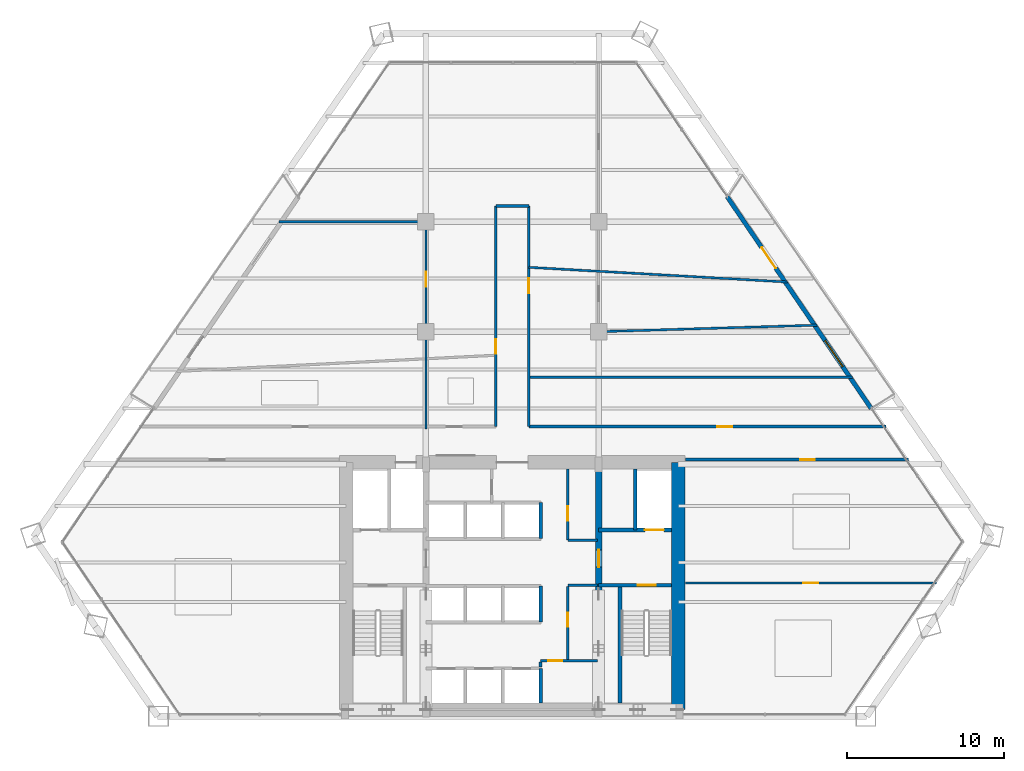
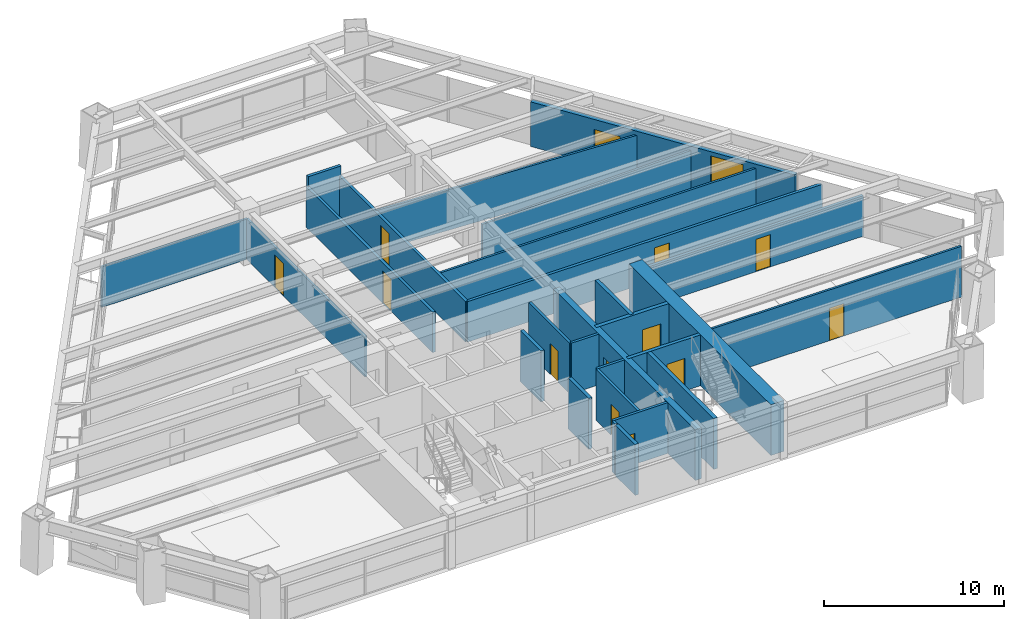
# One storey, part 11 of 14: 27 walls, 13 doors, 1 window, 14 openings.
"""IFC4 building model written with IfcOpenShell, lengths in metres."""

from ifc_helpers import new_model, si_unit, direction, frame, frame_2d, origin, place, context, subcontext, project, spatial, rectangle, extrude, source, transform, mapped, material, layer, layer_set, type_object, type_shapes, element, fill, save


model = new_model("IFC4")

# Units and contexts
model_context = context("Model", 3, precision=1e-05, world=origin(), true_north=direction((0.0, 1.0)))
body_context = subcontext(model_context, "Body", "Model", "MODEL_VIEW")
ifc_project = project(units=[si_unit("LENGTHUNIT", "METRE"), si_unit("AREAUNIT", "SQUARE_METRE"), si_unit("VOLUMEUNIT", "CUBIC_METRE"), si_unit("PLANEANGLEUNIT", "RADIAN"), si_unit("MASSUNIT", "GRAM", prefix="KILO")], contexts=[model_context])

# Site, building, storey
site_placement = place(None, origin())
site = spatial("IfcSite", under=ifc_project, at=site_placement, CompositionType="ELEMENT")
building_placement = place(site_placement, origin())
building = spatial("IfcBuilding", under=site, at=building_placement, Name="Varnakhor Terracotta Tower", CompositionType="ELEMENT")
storey_placement = place(building_placement, frame((0.0, 0.0, 31.199951171875)))
storey = spatial("IfcBuildingStorey", under=building, at=storey_placement, Name="L06", CompositionType="ELEMENT", Elevation=31.199951171875)

# Wall
ifc_material_1 = material(Name="Concrete C60/75", Category="concrete")
ifc_layer_1 = layer(ifc_material_1, 0.85009765625, Name="Concrete C60/75")
ifc_layer_set_1 = layer_set([ifc_layer_1], Name="Concrete C60/75")
wall_type_1 = type_object("IfcWallType", Name="WAL-CORE-850", PredefinedType="SHEAR", material=ifc_layer_set_1)
wall_1_placement = place(storey_placement, frame((10.574951171875, 0.425048828125, 0.0), z_axis=(0.0, 0.0, 1.0), x_axis=(0.0, 1.0, 0.0)))
element("IfcWall", 1, at=wall_1_placement, inside=storey, type_object=wall_type_1, Name="L06 East Core Shear Wall", PredefinedType="SHEAR", context=body_context, shape_type="SweptSolid", body=[
    extrude(rectangle(XDim=15.75, YDim=0.85009765625, at=frame_2d((7.875, 0.0))), origin(), (0.0, 0.0, 1.0), 3.449951171875),
])

# Wall, opening, door
ifc_material_2 = material(Name="Concrete C50/60", Category="concrete")
ifc_layer_2 = layer(ifc_material_2, 0.39990234375, Name="Concrete C50/60")
ifc_layer_set_2 = layer_set([ifc_layer_2], Name="Concrete C50/60")
wall_type_2 = type_object("IfcWallType", Name="WAL-CORE-WEB-400", PredefinedType="SHEAR", material=ifc_layer_set_2)
wall_2_placement = place(storey_placement, frame((5.5, 0.425048828125, 0.0), z_axis=(0.0, 0.0, 1.0), x_axis=(0.0, 1.0, 0.0)))
wall_2 = element("IfcWall", 2, at=wall_2_placement, inside=storey, type_object=wall_type_2, Name="L06 East Core Web Shear Wall", PredefinedType="SHEAR", context=body_context, shape_type="SweptSolid", body=[
    extrude(rectangle(XDim=15.75, YDim=0.39990234375, at=frame_2d((7.875, 0.0))), origin(), (0.0, 0.0, 1.0), 3.449951171875),
])
opening_1_placement = place(wall_2_placement, frame((9.074951171875, 0.0, 0.0)))
opening_1 = element("IfcOpeningElement", 3, at=opening_1_placement, cuts=wall_2, Name="Opening DR-25", PredefinedType="OPENING", context=body_context, shape_type="SweptSolid", body=[
    extrude(rectangle(XDim=1.10009765625, YDim=2.199951171875, at=frame_2d((0.550048828125, 1.10009765625))), frame((0.0, 0.2099609375, 0.0), z_axis=(0.0, -1.0, 0.0), x_axis=(1.0, 0.0, 0.0)), (0.0, 0.0, 1.0), 0.419921875),
])
ifc_material_3 = material(Name="Firefighting Lobby Self-Closing Fire Door", Category="steel")
door_type_1 = type_object("IfcDoorType", Name="DR-FFL-1100X2200", OperationType="NOTDEFINED", PredefinedType="DOOR", material=ifc_material_3)
shared_shape_1 = source(origin(), body_context, "Body", "SweptSolid", [
    extrude(rectangle(XDim=1.10009765625, YDim=2.199951171875, at=frame_2d((0.550048828125, 1.10009765625))), frame((0.0, 0.02490234375, 0.0), z_axis=(0.0, -1.0, 0.0), x_axis=(1.0, 0.0, 0.0)), (0.0, 0.0, 1.0), 0.050048828125),
])
type_shapes(door_type_1, [shared_shape_1])
door_1_placement = place(opening_1_placement, origin())
door_1 = element("IfcDoor", 4, at=door_1_placement, inside=storey, type_object=door_type_1, Name="L06 East Firefighting Lobby Door", OperationType="SINGLE_SWING_RIGHT", OverallHeight=2.199951171875, OverallWidth=1.10009765625, PredefinedType="DOOR", context=body_context, shape_type="MappedRepresentation", body=[
    mapped(shared_shape_1, transform((0.0, 0.0, 0.0), scale=1.0)),
])
fill(opening_1, door_1)

ifc_material_4 = material(Name="Fire-Rated Gypsum Stud Partition", Category="gypsum")
ifc_layer_3 = layer(ifc_material_4, 0.18505859375, Name="Fire-Rated Gypsum Stud Partition")
ifc_layer_set_3 = layer_set([ifc_layer_3], Name="Fire-Rated Gypsum Stud Partition")
wall_type_3 = type_object("IfcWallType", Name="WAL-CORR-185", PredefinedType="PARTITIONING", material=ifc_layer_set_3)
wall_3_placement = place(storey_placement, frame((11.02001953125, 16.35009765625, 0.0), z_axis=(0.0, 0.0, 1.0), x_axis=(1.0, 0.0, 0.0)))
wall_3 = element("IfcWall", 5, at=wall_3_placement, inside=storey, type_object=wall_type_3, Name="L06 South East Corridor Wall", PredefinedType="PARTITIONING", context=body_context, shape_type="SweptSolid", body=[
    extrude(rectangle(XDim=14.212646484375, YDim=0.18505859375, at=frame_2d((7.1064453125, 0.0))), origin(), (0.0, 0.0, 1.0), 2.7470703125),
])
opening_2_placement = place(wall_3_placement, frame((7.307861328125, 0.0, 0.0)))
opening_2 = element("IfcOpeningElement", 6, at=opening_2_placement, cuts=wall_3, Name="Opening DR-94", PredefinedType="OPENING", context=body_context, shape_type="SweptSolid", body=[
    extrude(rectangle(XDim=0.949951171875, YDim=2.199951171875, at=frame_2d((0.47509765625, 1.10009765625))), frame((0.0, 0.1025390625, 0.0), z_axis=(0.0, -1.0, 0.0), x_axis=(1.0, 0.0, 0.0)), (0.0, 0.0, 1.0), 0.205078125),
])
ifc_material_5 = material(Name="Acoustic Glazed-Vision Timber Office Door", Category="wood")
door_type_2 = type_object("IfcDoorType", Name="DR-OFF-950X2200", OperationType="NOTDEFINED", PredefinedType="DOOR", material=ifc_material_5)
shared_shape_2 = source(origin(), body_context, "Body", "SweptSolid", [
    extrude(rectangle(XDim=0.949951171875, YDim=2.199951171875, at=frame_2d((0.47509765625, 1.10009765625))), frame((0.0, 0.02490234375, 0.0), z_axis=(0.0, -1.0, 0.0), x_axis=(1.0, 0.0, 0.0)), (0.0, 0.0, 1.0), 0.050048828125),
])
type_shapes(door_type_2, [shared_shape_2])
door_2_placement = place(opening_2_placement, origin())
door_2 = element("IfcDoor", 7, at=door_2_placement, inside=storey, type_object=door_type_2, Name="L06 SE Suite Door", OperationType="SINGLE_SWING_RIGHT", OverallHeight=2.199951171875, OverallWidth=0.949951171875, PredefinedType="DOOR", context=body_context, shape_type="MappedRepresentation", body=[
    mapped(shared_shape_2, transform((0.0, 0.0, 0.0), scale=1.0)),
])
fill(opening_2, door_2)

wall_4_placement = place(storey_placement, frame((1.050048828125, 18.449951171875, 0.0), z_axis=(0.0, 0.0, 1.0), x_axis=(1.0, 0.0, 0.0)))
wall_4 = element("IfcWall", 8, at=wall_4_placement, inside=storey, type_object=wall_type_3, Name="L06 Corridor North East Wall", PredefinedType="PARTITIONING", context=body_context, shape_type="SweptSolid", body=[
    extrude(rectangle(XDim=22.754638671875, YDim=0.18505859375, at=frame_2d((11.37744140625, 0.0))), origin(), (0.0, 0.0, 1.0), 2.7470703125),
])
opening_3_placement = place(wall_4_placement, frame((12.006103515625, 0.0, 0.0)))
opening_3 = element("IfcOpeningElement", 9, at=opening_3_placement, cuts=wall_4, Name="Opening DR-94", PredefinedType="OPENING", context=body_context, shape_type="SweptSolid", body=[
    extrude(rectangle(XDim=0.949951171875, YDim=2.199951171875, at=frame_2d((0.47509765625, 1.10009765625))), frame((0.0, 0.1025390625, 0.0), z_axis=(0.0, -1.0, 0.0), x_axis=(1.0, 0.0, 0.0)), (0.0, 0.0, 1.0), 0.205078125),
])
door_3_placement = place(opening_3_placement, origin())
door_3 = element("IfcDoor", 10, at=door_3_placement, inside=storey, type_object=door_type_2, Name="L06 East Workplace Door", OperationType="SINGLE_SWING_RIGHT", OverallHeight=2.199951171875, OverallWidth=0.949951171875, PredefinedType="DOOR", context=body_context, shape_type="MappedRepresentation", body=[
    mapped(shared_shape_2, transform((0.0, 0.0, 0.0), scale=1.0)),
])
fill(opening_3, door_3)

wall_5_placement = place(storey_placement, frame((-1.050048828125, 18.449951171875, 0.0), z_axis=(0.0, 0.0, 1.0), x_axis=(0.0, 1.0, 0.0)))
wall_5 = element("IfcWall", 11, at=wall_5_placement, inside=storey, type_object=wall_type_3, Name="L06 Spine West Wall", PredefinedType="PARTITIONING", context=body_context, shape_type="SweptSolid", body=[
    extrude(rectangle(XDim=14.050048828125, YDim=0.18505859375, at=frame_2d((7.02490234375, 0.0))), origin(), (0.0, 0.0, 1.0), 2.7470703125),
])
opening_4_placement = place(wall_5_placement, frame((4.6298828125, 0.0, 0.0)))
opening_4 = element("IfcOpeningElement", 12, at=opening_4_placement, cuts=wall_5, Name="Opening DR-94", PredefinedType="OPENING", context=body_context, shape_type="SweptSolid", body=[
    extrude(rectangle(XDim=0.949951171875, YDim=2.199951171875, at=frame_2d((0.47509765625, 1.10009765625))), frame((0.0, 0.1025390625, 0.0), z_axis=(0.0, -1.0, 0.0), x_axis=(1.0, 0.0, 0.0)), (0.0, 0.0, 1.0), 0.205078125),
])
door_4_placement = place(opening_4_placement, origin())
door_4 = element("IfcDoor", 13, at=door_4_placement, inside=storey, type_object=door_type_2, Name="L06 Spine West Door", OperationType="SINGLE_SWING_LEFT", OverallHeight=2.199951171875, OverallWidth=0.949951171875, PredefinedType="DOOR", context=body_context, shape_type="MappedRepresentation", body=[
    mapped(shared_shape_2, transform((0.0, 0.0, 0.0), scale=1.0)),
])
fill(opening_4, door_4)

wall_6_placement = place(storey_placement, frame((1.050048828125, 18.449951171875, 0.0), z_axis=(0.0, 0.0, 1.0), x_axis=(0.0, 1.0, 0.0)))
wall_6 = element("IfcWall", 14, at=wall_6_placement, inside=storey, type_object=wall_type_3, Name="L06 Spine East Wall", PredefinedType="PARTITIONING", context=body_context, shape_type="SweptSolid", body=[
    extrude(rectangle(XDim=14.050048828125, YDim=0.18505859375, at=frame_2d((7.02490234375, 0.0))), origin(), (0.0, 0.0, 1.0), 2.7470703125),
])
opening_5_placement = place(wall_6_placement, frame((8.49658203125, 0.0, 0.0)))
opening_5 = element("IfcOpeningElement", 15, at=opening_5_placement, cuts=wall_6, Name="Opening DR-94", PredefinedType="OPENING", context=body_context, shape_type="SweptSolid", body=[
    extrude(rectangle(XDim=0.949951171875, YDim=2.199951171875, at=frame_2d((0.47509765625, 1.10009765625))), frame((0.0, 0.1025390625, 0.0), z_axis=(0.0, -1.0, 0.0), x_axis=(1.0, 0.0, 0.0)), (0.0, 0.0, 1.0), 0.205078125),
])
door_5_placement = place(opening_5_placement, origin())
door_5 = element("IfcDoor", 16, at=door_5_placement, inside=storey, type_object=door_type_2, Name="L06 Spine East Door", OperationType="SINGLE_SWING_RIGHT", OverallHeight=2.199951171875, OverallWidth=0.949951171875, PredefinedType="DOOR", context=body_context, shape_type="MappedRepresentation", body=[
    mapped(shared_shape_2, transform((0.0, 0.0, 0.0), scale=1.0)),
])
fill(opening_5, door_5)

# Wall
wall_7_placement = place(storey_placement, frame((-1.050048828125, 32.5, 0.0), z_axis=(0.0, 0.0, 1.0), x_axis=(1.0, 0.0, 0.0)))
element("IfcWall", 17, at=wall_7_placement, inside=storey, type_object=wall_type_3, Name="L06 Spine North End Wall", PredefinedType="PARTITIONING", context=body_context, shape_type="SweptSolid", body=[
    extrude(rectangle(XDim=2.10009765625, YDim=0.18505859375, at=frame_2d((1.050048828125, 0.0))), origin(), (0.0, 0.0, 1.0), 3.442138671875),
])

# Wall, openings, door, window
ifc_material_6 = material(Name="Extruded Architectural Terracotta Assembly", Category="masonry")
ifc_layer_4 = layer(ifc_material_6, 0.280029296875, Name="Extruded Architectural Terracotta Assembly")
ifc_layer_set_4 = layer_set([ifc_layer_4], Name="Extruded Architectural Terracotta Assembly")
wall_type_4 = type_object("IfcWallType", Name="WAL-EXT-TERRACOTTA-280", PredefinedType="SOLIDWALL", material=ifc_layer_set_4)
wall_8_placement = place(storey_placement, frame((13.68408203125, 33.10107421875, 0.0), z_axis=(0.0, 0.0, 1.0), x_axis=(0.562329267465, -0.826913414423, 0.0)))
wall_8 = element("IfcWall", 18, at=wall_8_placement, inside=storey, type_object=wall_type_4, Name="L06 E Loggia Insulated Terracotta Wall", PredefinedType="SOLIDWALL", context=body_context, shape_type="SweptSolid", body=[
    extrude(rectangle(XDim=16.307373046875, YDim=0.280029296875, at=frame_2d((8.15380859375, 0.0))), origin(), (0.0, 0.0, 1.0), 3.030029296875),
])
opening_6_placement = place(wall_8_placement, frame((3.913818359375, 0.0, 0.0)))
opening_6 = element("IfcOpeningElement", 19, at=opening_6_placement, cuts=wall_8, Name="Opening DR-62", PredefinedType="OPENING", context=body_context, shape_type="SweptSolid", body=[
    extrude(rectangle(XDim=1.60009765625, YDim=2.35009765625, at=frame_2d((0.800048828125, 1.175048828125))), frame((0.0, 0.14990234375, 0.0), z_axis=(0.0, -1.0, 0.0), x_axis=(1.0, 0.0, 0.0)), (0.0, 0.0, 1.0), 0.300048828125),
])
opening_7_placement = place(wall_8_placement, frame((11.089111328125, 0.0, 0.89990234375)))
opening_7 = element("IfcOpeningElement", 20, at=opening_7_placement, cuts=wall_8, Name="Opening WN-26", PredefinedType="OPENING", context=body_context, shape_type="SweptSolid", body=[
    extrude(rectangle(XDim=2.0, YDim=1.85009765625, at=frame_2d((1.0, 0.925048828125))), frame((0.0, 0.14990234375, 0.0), z_axis=(0.0, -1.0, 0.0), x_axis=(1.0, 0.0, 0.0)), (0.0, 0.0, 1.0), 0.300048828125),
])
ifc_material_7 = material(Name="Thermally Broken Sliding Glass Loggia Door", Category="glass")
door_type_3 = type_object("IfcDoorType", Name="DR-EXT-LOGGIA-1600X2350", OperationType="NOTDEFINED", PredefinedType="DOOR", material=ifc_material_7)
shared_shape_3 = source(origin(), body_context, "Body", "SweptSolid", [
    extrude(rectangle(XDim=1.60009765625, YDim=2.35009765625, at=frame_2d((0.800048828125, 1.175048828125))), frame((0.0, 0.02490234375, 0.0), z_axis=(0.0, -1.0, 0.0), x_axis=(1.0, 0.0, 0.0)), (0.0, 0.0, 1.0), 0.050048828125),
])
type_shapes(door_type_3, [shared_shape_3])
door_6_placement = place(opening_6_placement, origin())
door_6 = element("IfcDoor", 21, at=door_6_placement, inside=storey, type_object=door_type_3, Name="L06 E Recessed Loggia Sliding Door", OperationType="SLIDING_TO_RIGHT", OverallHeight=2.35009765625, OverallWidth=1.60009765625, PredefinedType="DOOR", context=body_context, shape_type="MappedRepresentation", body=[
    mapped(shared_shape_3, transform((0.0, 0.0, 0.0), scale=1.0)),
])
fill(opening_6, door_6)
ifc_material_8 = material(Name="Solar-Control Low-E Insulated Glass Unit", Category="glass")
window_type = type_object("IfcWindowType", Name="WIN-OFF-2200X2100", PartitioningType="SINGLE_PANEL", PredefinedType="WINDOW", material=ifc_material_8)
shared_shape_4 = source(origin(), body_context, "Body", "SweptSolid", [
    extrude(rectangle(XDim=2.0, YDim=1.85009765625, at=frame_2d((1.0, 0.925048828125))), frame((0.0, 0.030029296875, 0.0), z_axis=(0.0, -1.0, 0.0), x_axis=(1.0, 0.0, 0.0)), (0.0, 0.0, 1.0), 0.06005859375),
])
type_shapes(window_type, [shared_shape_4])
window_placement = place(opening_7_placement, origin())
window = element("IfcWindow", 22, at=window_placement, inside=storey, type_object=window_type, Name="L06 E Facet Punched Window", OverallHeight=1.85009765625, OverallWidth=2.0, PartitioningType="SINGLE_PANEL", PredefinedType="WINDOW", context=body_context, shape_type="MappedRepresentation", body=[
    mapped(shared_shape_4, transform((0.0, 0.0, 0.0), scale=1.0)),
])
fill(opening_7, window)

# Wall, opening, door
ifc_material_9 = material(Name="Concrete C40/50", Category="concrete")
ifc_layer_5 = layer(ifc_material_9, 0.219970703125, Name="Concrete C40/50")
ifc_layer_set_5 = layer_set([ifc_layer_5], Name="Concrete C40/50")
wall_type_5 = type_object("IfcWallType", Name="WAL-FFLOBBY-220", PredefinedType="SOLIDWALL", material=ifc_layer_set_5)
wall_9_placement = place(storey_placement, frame((10.14990234375, 8.35009765625, 0.0), z_axis=(0.0, 0.0, 1.0), x_axis=(-1.0, 0.0, 0.0)))
wall_9 = element("IfcWall", 23, at=wall_9_placement, inside=storey, type_object=wall_type_5, Name="L06 East Firefighting Lobby Stair Wall", PredefinedType="SOLIDWALL", context=body_context, shape_type="SweptSolid", body=[
    extrude(rectangle(XDim=4.64990234375, YDim=0.219970703125, at=frame_2d((2.324951171875, 0.0))), origin(), (0.0, 0.0, 1.0), 3.449951171875),
])
opening_8_placement = place(wall_9_placement, frame((1.0, 0.0, 0.0)))
opening_8 = element("IfcOpeningElement", 24, at=opening_8_placement, cuts=wall_9, Name="Opening DR-34", PredefinedType="OPENING", context=body_context, shape_type="SweptSolid", body=[
    extrude(rectangle(XDim=1.14990234375, YDim=2.199951171875, at=frame_2d((0.574951171875, 1.10009765625))), frame((0.0, 0.1201171875, 0.0), z_axis=(0.0, -1.0, 0.0), x_axis=(1.0, 0.0, 0.0)), (0.0, 0.0, 1.0), 0.239990234375),
])
ifc_material_10 = material(Name="Self-Closing Smoke-Sealed Steel Fire Door", Category="steel")
door_type_4 = type_object("IfcDoorType", Name="DR-STAIR-1150X2200", OperationType="NOTDEFINED", PredefinedType="DOOR", material=ifc_material_10)
shared_shape_5 = source(origin(), body_context, "Body", "SweptSolid", [
    extrude(rectangle(XDim=1.14990234375, YDim=2.199951171875, at=frame_2d((0.574951171875, 1.10009765625))), frame((0.0, 0.02490234375, 0.0), z_axis=(0.0, -1.0, 0.0), x_axis=(1.0, 0.0, 0.0)), (0.0, 0.0, 1.0), 0.050048828125),
])
type_shapes(door_type_4, [shared_shape_5])
door_7_placement = place(opening_8_placement, origin())
door_7 = element("IfcDoor", 25, at=door_7_placement, inside=storey, type_object=door_type_4, Name="L06 Exit Stair ST-2 Fire Door", OperationType="SINGLE_SWING_LEFT", OverallHeight=2.199951171875, OverallWidth=1.14990234375, PredefinedType="DOOR", context=body_context, shape_type="MappedRepresentation", body=[
    mapped(shared_shape_5, transform((0.0, 0.0, 0.0), scale=1.0)),
])
fill(opening_8, door_7)

ifc_material_11 = material(Name="Acoustic Metal-Stud Partition", Category="gypsum")
ifc_layer_6 = layer(ifc_material_11, 0.139892578125, Name="Acoustic Metal-Stud Partition")
ifc_layer_set_6 = layer_set([ifc_layer_6], Name="Acoustic Metal-Stud Partition")
wall_type_6 = type_object("IfcWallType", Name="WAL-PART-140", PredefinedType="PARTITIONING", material=ifc_layer_set_6)
wall_10_placement = place(storey_placement, frame((-5.5, 18.300048828125, 0.0), z_axis=(0.0, 0.0, 1.0), x_axis=(0.0, 1.0, 0.0)))
wall_10 = element("IfcWall", 26, at=wall_10_placement, inside=storey, type_object=wall_type_6, Name="L06 West Column Line Wall", PredefinedType="PARTITIONING", context=body_context, shape_type="SweptSolid", body=[
    extrude(rectangle(XDim=13.199951171875, YDim=0.139892578125, at=frame_2d((6.60009765625, 0.0))), origin(), (0.0, 0.0, 1.0), 2.7470703125),
])
opening_9_placement = place(wall_10_placement, frame((9.0654296875, 0.0, 0.0)))
opening_9 = element("IfcOpeningElement", 27, at=opening_9_placement, cuts=wall_10, Name="Opening DR-94", PredefinedType="OPENING", context=body_context, shape_type="SweptSolid", body=[
    extrude(rectangle(XDim=0.949951171875, YDim=2.199951171875, at=frame_2d((0.47509765625, 1.10009765625))), frame((0.0, 0.080078125, 0.0), z_axis=(0.0, -1.0, 0.0), x_axis=(1.0, 0.0, 0.0)), (0.0, 0.0, 1.0), 0.159912109375),
])
door_8_placement = place(opening_9_placement, origin())
door_8 = element("IfcDoor", 28, at=door_8_placement, inside=storey, type_object=door_type_2, Name="L06 Conference Room E2 Door", OperationType="SINGLE_SWING_RIGHT", OverallHeight=2.199951171875, OverallWidth=0.949951171875, PredefinedType="DOOR", context=body_context, shape_type="MappedRepresentation", body=[
    mapped(shared_shape_2, transform((0.0, 0.0, 0.0), scale=1.0)),
])
fill(opening_9, door_8)

# Walls
wall_11_placement = place(storey_placement, frame((-14.864990234375, 31.5, 0.0), z_axis=(0.0, 0.0, 1.0), x_axis=(1.0, 0.0, 0.0)))
element("IfcWall", 29, at=wall_11_placement, inside=storey, type_object=wall_type_6, Name="L06 North West Column Wall", PredefinedType="PARTITIONING", context=body_context, shape_type="SweptSolid", body=[
    extrude(rectangle(XDim=9.364990234375, YDim=0.139892578125, at=frame_2d((4.6826171875, 0.0))), origin(), (0.0, 0.0, 1.0), 2.7470703125),
])
wall_12_placement = place(storey_placement, frame((5.5, 24.5, 0.0), z_axis=(0.0, 0.0, 1.0), x_axis=(0.99955664424, 0.029774401005, 0.0)))
element("IfcWall", 30, at=wall_12_placement, inside=storey, type_object=wall_type_6, Name="L06 Mid East Column Wall", PredefinedType="PARTITIONING", context=body_context, shape_type="SweptSolid", body=[
    extrude(rectangle(XDim=13.914794921875, YDim=0.139892578125, at=frame_2d((6.95751953125, 0.0))), origin(), (0.0, 0.0, 1.0), 2.7470703125),
])
wall_13_placement = place(storey_placement, frame((1.050048828125, 21.60009765625, 0.0), z_axis=(0.0, 0.0, 1.0), x_axis=(1.0, 0.0, 0.0)))
element("IfcWall", 31, at=wall_13_placement, inside=storey, type_object=wall_type_6, Name="L06 East Wing Cut 1", PredefinedType="PARTITIONING", context=body_context, shape_type="SweptSolid", body=[
    extrude(rectangle(XDim=20.612548828125, YDim=0.139892578125, at=frame_2d((10.30615234375, 0.0))), origin(), (0.0, 0.0, 1.0), 2.7470703125),
])
wall_14_placement = place(storey_placement, frame((1.050048828125, 28.60009765625, 0.0), z_axis=(0.0, 0.0, 1.0), x_axis=(0.998391742153, -0.056691526713, 0.0)))
element("IfcWall", 32, at=wall_14_placement, inside=storey, type_object=wall_type_6, Name="L06 East Wing Cut 2", PredefinedType="PARTITIONING", context=body_context, shape_type="SweptSolid", body=[
    extrude(rectangle(XDim=16.515380859375, YDim=0.139892578125, at=frame_2d((8.2578125, 0.0))), origin(), (0.0, 0.0, 1.0), 2.7470703125),
])

# Wall, opening, door
wall_15_placement = place(storey_placement, frame((11.02001953125, 8.5, 0.0), z_axis=(0.0, 0.0, 1.0), x_axis=(1.0, 0.0, 0.0)))
wall_15 = element("IfcWall", 33, at=wall_15_placement, inside=storey, type_object=wall_type_6, Name="L06 South East Cut 1", PredefinedType="PARTITIONING", context=body_context, shape_type="SweptSolid", body=[
    extrude(rectangle(XDim=15.990478515625, YDim=0.139892578125, at=frame_2d((7.9951171875, 0.0))), origin(), (0.0, 0.0, 1.0), 3.442138671875),
])
opening_10_placement = place(wall_15_placement, frame((7.50732421875, 0.0, 0.0)))
opening_10 = element("IfcOpeningElement", 34, at=opening_10_placement, cuts=wall_15, Name="Opening DR-94", PredefinedType="OPENING", context=body_context, shape_type="SweptSolid", body=[
    extrude(rectangle(XDim=0.949951171875, YDim=2.199951171875, at=frame_2d((0.47509765625, 1.10009765625))), frame((0.0, 0.080078125, 0.0), z_axis=(0.0, -1.0, 0.0), x_axis=(1.0, 0.0, 0.0)), (0.0, 0.0, 1.0), 0.159912109375),
])
door_9_placement = place(opening_10_placement, origin())
door_9 = element("IfcDoor", 35, at=door_9_placement, inside=storey, type_object=door_type_2, Name="L06 South East Conference Room Door", OperationType="SINGLE_SWING_LEFT", OverallHeight=2.199951171875, OverallWidth=0.949951171875, PredefinedType="DOOR", context=body_context, shape_type="MappedRepresentation", body=[
    mapped(shared_shape_2, transform((0.0, 0.0, 0.0), scale=1.0)),
])
fill(opening_10, door_9)

# Walls
ifc_layer_7 = layer(ifc_material_9, 0.219970703125, Name="Concrete C40/50")
ifc_layer_set_7 = layer_set([ifc_layer_7], Name="Concrete C40/50")
wall_type_7 = type_object("IfcWallType", Name="WAL-SHAFT-220", PredefinedType="SOLIDWALL", material=ifc_layer_set_7)
wall_16_placement = place(storey_placement, frame((7.840087890625, 11.8701171875, 0.0), z_axis=(0.0, 0.0, 1.0), x_axis=(0.0, 1.0, 0.0)))
element("IfcWall", 36, at=wall_16_placement, inside=storey, type_object=wall_type_7, Name="L06 Lift FFL-2 and Riser Divider Wall", PredefinedType="SOLIDWALL", context=body_context, shape_type="SweptSolid", body=[
    extrude(rectangle(XDim=3.8798828125, YDim=0.219970703125, at=frame_2d((1.93994140625, 0.0))), origin(), (0.0, 0.0, 1.0), 3.449951171875),
])
wall_17_placement = place(storey_placement, frame((1.800048828125, 0.85009765625, 0.0), z_axis=(0.0, 0.0, 1.0), x_axis=(0.0, 1.0, 0.0)))
element("IfcWall", 37, at=wall_17_placement, inside=storey, type_object=wall_type_7, Name="L06 Bank 1 East Shaft Wall", PredefinedType="SOLIDWALL", context=body_context, shape_type="SweptSolid", body=[
    extrude(rectangle(XDim=2.199951171875, YDim=0.219970703125, at=frame_2d((1.10009765625, 0.0))), origin(), (0.0, 0.0, 1.0), 3.449951171875),
])
for number, where, z_axis, x_axis, name in (
    (38, (1.800048828125, 6.0, 0.0), (0.0, 0.0, 1.0), (0.0, 1.0, 0.0), "L06 Bank 2 East Shaft Wall"),
    (39, (1.800048828125, 11.320068359375, 0.0), (0.0, 0.0, 1.0), (0.0, 1.0, 0.0), "L06 Bank 3 East Shaft Wall"),
):
    element("IfcWall", number, at=place(storey_placement, frame(where, z_axis=z_axis, x_axis=x_axis)), inside=storey, type_object=wall_type_7, Name=name, PredefinedType="SOLIDWALL", context=body_context, shape_type="SweptSolid", body=[
        extrude(rectangle(XDim=2.300048828125, YDim=0.219970703125, at=frame_2d((1.14990234375, 0.0))), origin(), (0.0, 0.0, 1.0), 3.449951171875),
    ])
ifc_layer_8 = layer(ifc_material_9, 0.25, Name="Concrete C40/50")
ifc_layer_set_8 = layer_set([ifc_layer_8], Name="Concrete C40/50")
wall_type_8 = type_object("IfcWallType", Name="WAL-SHAFT-250", PredefinedType="SOLIDWALL", material=ifc_layer_set_8)
wall_18_placement = place(storey_placement, frame((6.85009765625, 0.85009765625, 0.0), z_axis=(0.0, 0.0, 1.0), x_axis=(0.0, 1.0, 0.0)))
element("IfcWall", 40, at=wall_18_placement, inside=storey, type_object=wall_type_8, Name="L06 Stair ST-2 Bearing Shaft Wall", PredefinedType="SOLIDWALL", context=body_context, shape_type="SweptSolid", body=[
    extrude(rectangle(XDim=7.5, YDim=0.25, at=frame_2d((3.75, 0.0))), origin(), (0.0, 0.0, 1.0), 3.449951171875),
])

# Wall, opening, door
wall_19_placement = place(storey_placement, frame((10.14990234375, 11.8701171875, 0.0), z_axis=(0.0, 0.0, 1.0), x_axis=(-1.0, 0.0, 0.0)))
wall_19 = element("IfcWall", 41, at=wall_19_placement, inside=storey, type_object=wall_type_8, Name="L06 Lift FFL-2 Shaft Front Wall", PredefinedType="SOLIDWALL", context=body_context, shape_type="SweptSolid", body=[
    extrude(rectangle(XDim=4.64990234375, YDim=0.25, at=frame_2d((2.324951171875, 0.0))), origin(), (0.0, 0.0, 1.0), 3.449951171875),
])
opening_11_placement = place(wall_19_placement, frame((0.5, 0.0, 0.0)))
opening_11 = element("IfcOpeningElement", 42, at=opening_11_placement, cuts=wall_19, Name="Opening LD-02", PredefinedType="OPENING", context=body_context, shape_type="SweptSolid", body=[
    extrude(rectangle(XDim=1.199951171875, YDim=2.25, at=frame_2d((0.60009765625, 1.125))), frame((0.0, 0.135009765625, 0.0), z_axis=(0.0, -1.0, 0.0), x_axis=(1.0, 0.0, 0.0)), (0.0, 0.0, 1.0), 0.27001953125),
])
ifc_material_12 = material(Name="Firefighting Stretcher Sliding Lift Landing Door", Category="steel")
door_type_5 = type_object("IfcDoorType", Name="LD-FFL-1200X2250", OperationType="NOTDEFINED", PredefinedType="DOOR", material=ifc_material_12)
shared_shape_6 = source(origin(), body_context, "Body", "SweptSolid", [
    extrude(rectangle(XDim=1.199951171875, YDim=2.25, at=frame_2d((0.60009765625, 1.125))), frame((0.0, 0.02490234375, 0.0), z_axis=(0.0, -1.0, 0.0), x_axis=(1.0, 0.0, 0.0)), (0.0, 0.0, 1.0), 0.050048828125),
])
type_shapes(door_type_5, [shared_shape_6])
door_10_placement = place(opening_11_placement, origin())
door_10 = element("IfcDoor", 43, at=door_10_placement, inside=storey, type_object=door_type_5, Name="L06 Firefighting Lift FFL-2 Landing Door", OperationType="SLIDING_TO_RIGHT", OverallHeight=2.25, OverallWidth=1.199951171875, PredefinedType="DOOR", context=body_context, shape_type="MappedRepresentation", body=[
    mapped(shared_shape_6, transform((0.0, 0.0, 0.0), scale=1.0)),
])
fill(opening_11, door_10)

# Wall
ifc_material_13 = material(Name="Acoustic Fire-Rated Partition", Category="gypsum")
ifc_layer_9 = layer(ifc_material_13, 0.1650390625, Name="Acoustic Fire-Rated Partition")
ifc_layer_set_9 = layer_set([ifc_layer_9], Name="Acoustic Fire-Rated Partition")
wall_type_9 = type_object("IfcWallType", Name="WAL-TENANCY-165", PredefinedType="PARTITIONING", material=ifc_layer_set_9)
wall_20_placement = place(storey_placement, frame((1.800048828125, 3.159912109375, 0.0), z_axis=(0.0, 0.0, 1.0), x_axis=(0.0, 1.0, 0.0)))
element("IfcWall", 44, at=wall_20_placement, inside=storey, type_object=wall_type_9, Name="L06 Core South West Return Wall", PredefinedType="PARTITIONING", context=body_context, shape_type="SweptSolid", body=[
    extrude(rectangle(XDim=0.3076171875, YDim=0.1650390625, at=frame_2d((0.15380859375, 0.0))), origin(), (0.0, 0.0, 1.0), 3.442138671875),
])

# Wall, opening, door
wall_21_placement = place(storey_placement, frame((3.5400390625, 3.632568359375, 0.0), z_axis=(0.0, 0.0, 1.0), x_axis=(0.0, 1.0, 0.0)))
wall_21 = element("IfcWall", 45, at=wall_21_placement, inside=storey, type_object=wall_type_9, Name="L06 Core Service Rated Wall", PredefinedType="PARTITIONING", context=body_context, shape_type="SweptSolid", body=[
    extrude(rectangle(XDim=4.625, YDim=0.1650390625, at=frame_2d((2.3125, 0.0))), origin(), (0.0, 0.0, 1.0), 3.442138671875),
])
opening_12_placement = place(wall_21_placement, frame((2.081298828125, 0.0, 0.0)))
opening_12 = element("IfcOpeningElement", 46, at=opening_12_placement, cuts=wall_21, Name="Opening DR-67", PredefinedType="OPENING", context=body_context, shape_type="SweptSolid", body=[
    extrude(rectangle(XDim=0.89990234375, YDim=2.10009765625, at=frame_2d((0.449951171875, 1.050048828125))), frame((0.0, 0.092529296875, 0.0), z_axis=(0.0, -1.0, 0.0), x_axis=(1.0, 0.0, 0.0)), (0.0, 0.0, 1.0), 0.18505859375),
])
ifc_material_14 = material(Name="Steel Service Riser Fire Door", Category="steel")
door_type_6 = type_object("IfcDoorType", Name="DR-RISER-900X2100", OperationType="NOTDEFINED", PredefinedType="DOOR", material=ifc_material_14)
shared_shape_7 = source(origin(), body_context, "Body", "SweptSolid", [
    extrude(rectangle(XDim=0.89990234375, YDim=2.10009765625, at=frame_2d((0.449951171875, 1.050048828125))), frame((0.0, 0.02490234375, 0.0), z_axis=(0.0, -1.0, 0.0), x_axis=(1.0, 0.0, 0.0)), (0.0, 0.0, 1.0), 0.050048828125),
])
type_shapes(door_type_6, [shared_shape_7])
door_11_placement = place(opening_12_placement, origin())
door_11 = element("IfcDoor", 47, at=door_11_placement, inside=storey, type_object=door_type_6, Name="L06 Core Accessible WC Door", OperationType="SINGLE_SWING_RIGHT", OverallHeight=2.10009765625, OverallWidth=0.89990234375, PredefinedType="DOOR", context=body_context, shape_type="MappedRepresentation", body=[
    mapped(shared_shape_7, transform((0.0, 0.0, 0.0), scale=1.0)),
])
fill(opening_12, door_11)

# Wall
wall_22_placement = place(storey_placement, frame((3.5400390625, 8.340087890625, 0.0), z_axis=(0.0, 0.0, 1.0), x_axis=(1.0, 0.0, 0.0)))
element("IfcWall", 48, at=wall_22_placement, inside=storey, type_object=wall_type_9, Name="L06 Accessible WC North Wall", PredefinedType="PARTITIONING", context=body_context, shape_type="SweptSolid", body=[
    extrude(rectangle(XDim=1.8798828125, YDim=0.1650390625, at=frame_2d((0.93994140625, 0.0))), origin(), (0.0, 0.0, 1.0), 3.442138671875),
])

# Wall, opening, door
wall_23_placement = place(storey_placement, frame((1.800048828125, 3.550048828125, 0.0), z_axis=(0.0, 0.0, 1.0), x_axis=(1.0, 0.0, 0.0)))
wall_23 = element("IfcWall", 49, at=wall_23_placement, inside=storey, type_object=wall_type_9, Name="L06 Core South Service Rated Wall", PredefinedType="PARTITIONING", context=body_context, shape_type="SweptSolid", body=[
    extrude(rectangle(XDim=3.619873046875, YDim=0.1650390625, at=frame_2d((1.81005859375, 0.0))), origin(), (0.0, 0.0, 1.0), 3.442138671875),
])
opening_13_placement = place(wall_23_placement, frame((0.47998046875, 0.0, 0.0)))
opening_13 = element("IfcOpeningElement", 50, at=opening_13_placement, cuts=wall_23, Name="Opening DR-67", PredefinedType="OPENING", context=body_context, shape_type="SweptSolid", body=[
    extrude(rectangle(XDim=0.89990234375, YDim=2.10009765625, at=frame_2d((0.449951171875, 1.050048828125))), frame((0.0, 0.092529296875, 0.0), z_axis=(0.0, -1.0, 0.0), x_axis=(1.0, 0.0, 0.0)), (0.0, 0.0, 1.0), 0.18505859375),
])
door_12_placement = place(opening_13_placement, origin())
door_12 = element("IfcDoor", 51, at=door_12_placement, inside=storey, type_object=door_type_6, Name="L06 Core IT Room Door", OperationType="SINGLE_SWING_LEFT", OverallHeight=2.10009765625, OverallWidth=0.89990234375, PredefinedType="DOOR", context=body_context, shape_type="MappedRepresentation", body=[
    mapped(shared_shape_7, transform((0.0, 0.0, 0.0), scale=1.0)),
])
fill(opening_13, door_12)

wall_24_placement = place(storey_placement, frame((3.5400390625, 11.219970703125, 0.0), z_axis=(0.0, 0.0, 1.0), x_axis=(0.0, 1.0, 0.0)))
wall_24 = element("IfcWall", 52, at=wall_24_placement, inside=storey, type_object=wall_type_9, Name="L06 Restroom Corridor Wall", PredefinedType="PARTITIONING", context=body_context, shape_type="SweptSolid", body=[
    extrude(rectangle(XDim=4.530029296875, YDim=0.1650390625, at=frame_2d((2.26513671875, 0.0))), origin(), (0.0, 0.0, 1.0), 3.442138671875),
])
opening_14_placement = place(wall_24_placement, frame((1.25, 0.0, 0.0)))
opening_14 = element("IfcOpeningElement", 53, at=opening_14_placement, cuts=wall_24, Name="Opening DR-67", PredefinedType="OPENING", context=body_context, shape_type="SweptSolid", body=[
    extrude(rectangle(XDim=0.89990234375, YDim=2.10009765625, at=frame_2d((0.449951171875, 1.050048828125))), frame((0.0, 0.092529296875, 0.0), z_axis=(0.0, -1.0, 0.0), x_axis=(1.0, 0.0, 0.0)), (0.0, 0.0, 1.0), 0.18505859375),
])
door_13_placement = place(opening_14_placement, origin())
door_13 = element("IfcDoor", 54, at=door_13_placement, inside=storey, type_object=door_type_6, Name="L06 Female WC Door", OperationType="SINGLE_SWING_RIGHT", OverallHeight=2.10009765625, OverallWidth=0.89990234375, PredefinedType="DOOR", context=body_context, shape_type="MappedRepresentation", body=[
    mapped(shared_shape_7, transform((0.0, 0.0, 0.0), scale=1.0)),
])
fill(opening_14, door_13)

# Wall
wall_25_placement = place(storey_placement, frame((3.5400390625, 11.219970703125, 0.0), z_axis=(0.0, 0.0, 1.0), x_axis=(1.0, 0.0, 0.0)))
element("IfcWall", 55, at=wall_25_placement, inside=storey, type_object=wall_type_9, Name="L06 Restroom South Wall", PredefinedType="PARTITIONING", context=body_context, shape_type="SweptSolid", body=[
    extrude(rectangle(XDim=1.8798828125, YDim=0.1650390625, at=frame_2d((0.93994140625, 0.0))), origin(), (0.0, 0.0, 1.0), 3.442138671875),
])

save(model, "model.ifc")
